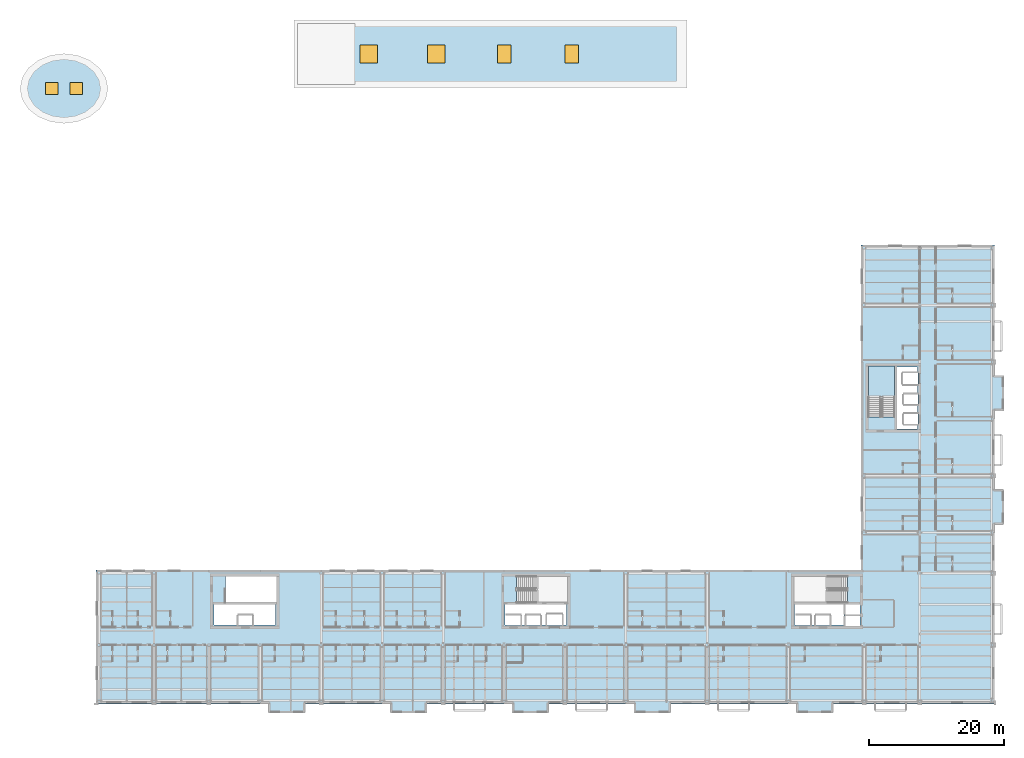
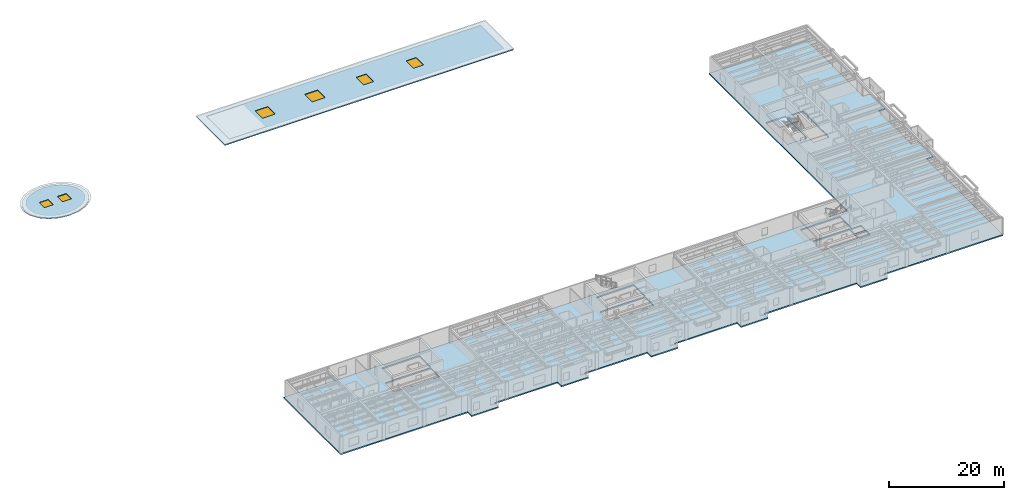
# One storey, part 9 of 27: 6 windows, 4 slabs, 6 openings, 1 element without a shape of its own.
"""IFC4 building model written with IfcOpenShell, lengths in metres."""

import ifcopenshell
import ifcopenshell.guid

model = None  # the IFC model being written
_history = None  # IfcOwnerHistory: only IFC2X3 demands one
_inside = {}  # id of a spatial element -> (the spatial element, [elements in it])
_under = {}  # id of a project, library or spatial element -> (it, [spatial elements below it])
_declared = {}  # id of a project -> (the project, [libraries it declares])
_typed = {}  # id of a type object -> (the type object, [elements of that type])
_made_of = {}  # id of a material, layer set ... -> (it, [elements and type objects made of it])


def new_model(schema):
    """Start an empty IFC model of exactly this schema.

    Asked for "IFC4X3", IfcOpenShell would pick the latest addendum, in which some entities
    have other attributes; the version numbers below select the first issue.
    IFC2X3 requires an IfcOwnerHistory on every rooted entity: one is made here for all.
    """
    global model, _history
    if schema == "IFC4X3":
        model = ifcopenshell.file(schema_version=(4, 3, 0, 0))
    else:
        model = ifcopenshell.file(schema=schema)
    _inside.clear()
    _under.clear()
    _declared.clear()
    _typed.clear()
    _made_of.clear()
    _history = None
    if model.schema == "IFC2X3":
        org = make("IfcOrganization", Name="unknown")
        user = make(
            "IfcPersonAndOrganization",
            ThePerson=make("IfcPerson", FamilyName="unknown"),
            TheOrganization=org,
        )
        app = make(
            "IfcApplication",
            ApplicationDeveloper=org,
            Version="unknown",
            ApplicationFullName="unknown",
            ApplicationIdentifier="unknown",
        )
        _history = make(
            "IfcOwnerHistory",
            OwningUser=user,
            OwningApplication=app,
            ChangeAction="ADDED",
            CreationDate=0,
        )
    return model


def make(cls, **values):
    """One entity of the class cls with the attributes given. An attribute that is None is left unset."""
    return model.create_entity(
        cls, **{name: value for name, value in values.items() if value is not None}
    )


def rooted(cls, **values):
    """An entity with a GlobalId (a new one), such as an element, a storey or a relation."""
    return make(cls, GlobalId=ifcopenshell.guid.new(), OwnerHistory=_history, **values)


def si_unit(unit_type, name, prefix=None):
    """IfcSIUnit, for example si_unit("LENGTHUNIT", "METRE", prefix="MILLI")."""
    return make("IfcSIUnit", UnitType=unit_type, Prefix=prefix, Name=name)


def assignment(units):
    """IfcUnitAssignment: the units of a project."""
    return None if units is None else make("IfcUnitAssignment", Units=units)


def point(xyz):
    """IfcCartesianPoint."""
    return None if xyz is None else make("IfcCartesianPoint", Coordinates=xyz)


def direction(xyz):
    """IfcDirection."""
    return None if xyz is None else make("IfcDirection", DirectionRatios=xyz)


def frame(location, z_axis=None, x_axis=None):
    """IfcAxis2Placement3D, a coordinate frame: its origin and axes. An axis left out is left unset."""
    return make(
        "IfcAxis2Placement3D",
        Location=point(location),
        Axis=direction(z_axis),
        RefDirection=direction(x_axis),
    )


def frame_2d(location, x_axis=None):
    """IfcAxis2Placement2D, a coordinate frame in the plane: its origin and x axis."""
    return make(
        "IfcAxis2Placement2D", Location=point(location), RefDirection=direction(x_axis)
    )


def origin():
    """The frame at (0, 0, 0) with its axes left unset."""
    return frame((0.0, 0.0, 0.0))


def origin_2d():
    """The frame at (0, 0) in the plane with its x axis left unset."""
    return frame_2d((0.0, 0.0))


def place(relative_to, where):
    """IfcLocalPlacement: puts the frame where relative to a parent placement (None: the world)."""
    return make(
        "IfcLocalPlacement", PlacementRelTo=relative_to, RelativePlacement=where
    )


def context(
    kind, dimensions, precision=None, world=None, true_north=None, identifier=None
):
    """IfcGeometricRepresentationContext, for example the 3D "Model" context."""
    return make(
        "IfcGeometricRepresentationContext",
        ContextIdentifier=identifier,
        ContextType=kind,
        CoordinateSpaceDimension=dimensions,
        Precision=precision,
        WorldCoordinateSystem=world,
        TrueNorth=true_north,
    )


def subcontext(parent, identifier, kind, view, scale=None):
    """IfcGeometricRepresentationSubContext, for example "Body" below "Model"."""
    return make(
        "IfcGeometricRepresentationSubContext",
        ContextIdentifier=identifier,
        ContextType=kind,
        ParentContext=parent,
        TargetScale=scale,
        TargetView=view,
    )


def project(units=None, contexts=None):
    """IfcProject with its units and contexts."""
    return rooted(
        "IfcProject",
        Name="project",
        RepresentationContexts=contexts,
        UnitsInContext=assignment(units),
    )


def spatial(cls, under=None, at=None, **own):
    """A site, building, storey or space (cls), placed at a placement, below another one or the project."""
    s = rooted(cls, ObjectPlacement=at, **own)
    if under is not None:
        _under.setdefault(under.id(), (under, []))[1].append(s)
    return s


def polyline(points):
    """IfcPolyline through the points."""
    return make("IfcPolyline", Points=[point(p) for p in points])


def profile(cls, at=None, kind="AREA", **sizes):
    """A parametric profile (cls). Its sizes go by their IFC names, for example OverallWidth=200.0."""
    return make(cls, ProfileType=kind, Position=at, **sizes)


def rectangle(**sizes):
    """IfcRectangleProfileDef."""
    return profile("IfcRectangleProfileDef", **sizes)


def outline(outer, holes=None, kind="AREA"):
    """IfcArbitraryClosedProfileDef: a profile drawn as a closed curve; with holes, ...WithVoids."""
    if holes is None:
        return make("IfcArbitraryClosedProfileDef", ProfileType=kind, OuterCurve=outer)
    return make(
        "IfcArbitraryProfileDefWithVoids",
        ProfileType=kind,
        OuterCurve=outer,
        InnerCurves=holes,
    )


def extrude(swept, where, along, depth):
    """IfcExtrudedAreaSolid: the profile swept, set in the frame where, extruded along a direction by depth."""
    return make(
        "IfcExtrudedAreaSolid",
        SweptArea=swept,
        Position=where,
        ExtrudedDirection=direction(along),
        Depth=depth,
    )


def shape(context_of_items, identifier, shape_type, items):
    """IfcShapeRepresentation: the items that make up one representation, for example the "Body"."""
    return make(
        "IfcShapeRepresentation",
        ContextOfItems=context_of_items,
        RepresentationIdentifier=identifier,
        RepresentationType=shape_type,
        Items=items,
    )


def material(Name=None, Category=None):
    """IfcMaterial."""
    return make("IfcMaterial", Name=Name, Category=Category)


def layer(
    of_material, thickness, ventilated=None, Name=None, Category=None, Priority=None
):
    """IfcMaterialLayer: one layer of a wall or slab, of a material (None: an air gap)."""
    return make(
        "IfcMaterialLayer",
        Material=of_material,
        LayerThickness=thickness,
        IsVentilated=ventilated,
        Name=Name,
        Category=Category,
        Priority=Priority,
    )


def layer_set(layers, Name=None):
    """IfcMaterialLayerSet."""
    return make("IfcMaterialLayerSet", MaterialLayers=layers, LayerSetName=Name)


def made_of(thing, what):
    """Note that an element or type object is made of a material, layer set ...; save() writes the relation."""
    if what is not None:
        _made_of.setdefault(what.id(), (what, []))[1].append(thing)
    return thing


def type_object(cls, material=None, **own):
    """A type object (cls), such as IfcWallType, which elements share."""
    return made_of(rooted(cls, **own), material)


def element(
    cls,
    number,
    at=None,
    inside=None,
    cuts=None,
    type_object=None,
    material=None,
    context=None,
    identifier="Body",
    shape_type=None,
    held_by="IfcProductDefinitionShape",
    body=None,
    shapes=None,
    **own,
):
    """One element of the class cls, such as IfcWall. Its Tag is "e" and its number.

    at: its placement. inside: the storey or other place that contains it. cuts: it is an
    opening in that element (IfcRelVoidsElement). A single representation is given by context,
    identifier, shape_type and body (its items); several are given by shapes. held_by: the class
    of the entity that holds the representations. save() writes the other relations.
    """
    e = rooted(cls, Tag="e%d" % number, ObjectPlacement=at, **own)
    if body is not None:
        shapes = [shape(context, identifier, shape_type, body)]
    if shapes is not None:
        e.Representation = make(held_by, Representations=shapes)
    if inside is not None:
        _inside.setdefault(inside.id(), (inside, []))[1].append(e)
    if cuts is not None:
        rooted(
            "IfcRelVoidsElement", RelatingBuildingElement=cuts, RelatedOpeningElement=e
        )
    if type_object is not None:
        _typed.setdefault(type_object.id(), (type_object, []))[1].append(e)
    return made_of(e, material)


def fill(opening, filler):
    """IfcRelFillsElement: the door or window that sits in an opening."""
    return rooted(
        "IfcRelFillsElement",
        RelatingOpeningElement=opening,
        RelatedBuildingElement=filler,
    )


def aggregate(whole, parts):
    """IfcRelAggregates: a whole, such as a stair, and the parts it consists of."""
    return rooted("IfcRelAggregates", RelatingObject=whole, RelatedObjects=parts)


def save(model, path):
    """Write the relations noted so far, then the file.

    IfcRelAggregates (storeys below a building ...), IfcRelContainedInSpatialStructure (elements
    in a storey), IfcRelDefinesByType, IfcRelAssociatesMaterial and IfcRelDeclares: one each for
    every whole, place, type object, material and project.
    """
    for whole, parts in _under.values():
        aggregate(whole, parts)
    for where, things in _inside.values():
        rooted(
            "IfcRelContainedInSpatialStructure",
            RelatedElements=things,
            RelatingStructure=where,
        )
    for kind, things in _typed.values():
        rooted("IfcRelDefinesByType", RelatedObjects=things, RelatingType=kind)
    for what, things in _made_of.values():
        rooted("IfcRelAssociatesMaterial", RelatedObjects=things, RelatingMaterial=what)
    for by, libraries in _declared.values():
        rooted("IfcRelDeclares", RelatingContext=by, RelatedDefinitions=libraries)
    model.write(path)


model = new_model("IFC4")

# Units and contexts
model_context = context("Model", 3, precision=1e-05, world=origin(), true_north=direction((0.0, 1.0)))
body_context = subcontext(model_context, "Body", "Model", "MODEL_VIEW")
ifc_project = project(units=[si_unit("LENGTHUNIT", "METRE"), si_unit("AREAUNIT", "SQUARE_METRE"), si_unit("VOLUMEUNIT", "CUBIC_METRE"), si_unit("PLANEANGLEUNIT", "RADIAN"), si_unit("MASSUNIT", "GRAM", prefix="KILO")], contexts=[model_context])

# Site, building, storey
site_placement = place(None, origin())
site = spatial("IfcSite", under=ifc_project, at=site_placement, CompositionType="ELEMENT")
building_placement = place(site_placement, origin())
building = spatial("IfcBuilding", under=site, at=building_placement, Name="Sollismere Congress Hotel", CompositionType="ELEMENT")
storey_placement = place(building_placement, frame((0.0, 0.0, 27.0)))
storey = spatial("IfcBuildingStorey", under=building, at=storey_placement, Name="L06", CompositionType="ELEMENT", Elevation=27.0)

# Slab
ifc_material_1 = material(Name="Concrete C40/50", Category="concrete")
ifc_layer_1 = layer(ifc_material_1, 0.27490234375, Name="Concrete C40/50")
ifc_layer_set_1 = layer_set([ifc_layer_1], Name="Concrete C40/50")
slab_type_1 = type_object("IfcSlabType", Name="SL-FLR275", PredefinedType="FLOOR", material=ifc_layer_set_1)
slab_1_placement = place(storey_placement, frame((0.0, 0.0, -0.27490234375)))
element("IfcSlab", 1, at=slab_1_placement, inside=storey, type_object=slab_type_1, Name="Slab SL-L06-V5", PredefinedType="FLOOR", context=body_context, shape_type="SweptSolid", body=[
    extrude(outline(polyline([(64.60009765625, -1.85009765625), (64.60009765625, -0.47998046875), (77.199951171875, -0.47998046875), (77.199951171875, -1.85009765625), (82.60009765625, -1.85009765625), (82.60009765625, -0.47998046875), (95.199951171875, -0.47998046875), (95.199951171875, -1.85009765625), (100.60009765625, -1.85009765625), (100.60009765625, -0.47998046875), (113.199951171875, -0.47998046875), (113.199951171875, -1.85009765625), (118.60009765625, -1.85009765625), (118.60009765625, -0.47998046875), (137.199951171875, -0.47998046875), (137.199951171875, -1.85009765625), (142.60009765625, -1.85009765625), (142.60009765625, -0.47998046875), (166.47998046875, -0.47998046875), (166.47998046875, 19.280029296875), (166.47998046875, 26.0), (167.85009765625, 26.0), (167.85009765625, 31.199951171875), (166.47998046875, 31.199951171875), (166.47998046875, 42.800048828125), (167.85009765625, 42.800048828125), (167.85009765625, 48.0), (166.47998046875, 48.0), (166.47998046875, 67.280029296875), (146.719970703125, 67.280029296875), (146.719970703125, 19.280029296875), (33.719970703125, 19.280029296875), (33.719970703125, -0.47998046875), (59.199951171875, -0.47998046875), (59.199951171875, -1.85009765625), (64.60009765625, -1.85009765625)]), holes=[polyline([(54.7548828125, 11.050048828125), (54.7548828125, 11.139892578125), (51.139892578125, 11.139892578125), (51.139892578125, 14.179931640625), (60.260009765625, 14.179931640625), (60.260009765625, 11.139892578125), (56.844970703125, 11.139892578125), (56.844970703125, 11.050048828125), (54.7548828125, 11.050048828125)]), polyline([(94.35498046875, 11.050048828125), (94.35498046875, 11.139892578125), (94.139892578125, 11.139892578125), (94.139892578125, 14.179931640625), (103.260009765625, 14.179931640625), (103.260009765625, 11.139892578125), (102.570068359375, 11.139892578125), (102.570068359375, 11.054931640625), (100.330078125, 11.054931640625), (100.330078125, 11.139892578125), (99.344970703125, 11.139892578125), (99.344970703125, 11.050048828125), (97.2548828125, 11.050048828125), (97.2548828125, 11.139892578125), (96.445068359375, 11.139892578125), (96.445068359375, 11.050048828125), (94.35498046875, 11.050048828125)]), polyline([(137.155029296875, 11.050048828125), (137.155029296875, 11.139892578125), (136.93994140625, 11.139892578125), (136.93994140625, 14.179931640625), (144.22705078125, 14.179931640625), (144.22705078125, 11.139892578125), (142.14501953125, 11.139892578125), (142.14501953125, 11.050048828125), (140.054931640625, 11.050048828125), (140.054931640625, 11.139892578125), (139.2451171875, 11.139892578125), (139.2451171875, 11.050048828125), (137.155029296875, 11.050048828125)]), polyline([(52.8505859375, 18.35009765625), (60.39990234375, 18.35009765625), (60.39990234375, 14.449951171875), (52.8505859375, 14.449951171875), (52.8505859375, 18.35009765625)]), polyline([(95.8505859375, 14.449951171875), (95.8505859375, 18.35009765625), (103.39990234375, 18.35009765625), (103.39990234375, 14.449951171875), (95.8505859375, 14.449951171875)]), polyline([(146.550048828125, 11.0048828125), (144.409912109375, 11.0048828125), (144.409912109375, 12.4951171875), (146.550048828125, 12.4951171875), (146.550048828125, 11.0048828125)]), polyline([(144.409912109375, 12.705078125), (144.409912109375, 14.195068359375), (146.550048828125, 14.195068359375), (146.550048828125, 12.705078125), (144.409912109375, 12.705078125)]), polyline([(144.749267578125, 14.449951171875), (136.800048828125, 14.449951171875), (136.800048828125, 18.35009765625), (144.749267578125, 18.35009765625), (144.749267578125, 14.449951171875)]), polyline([(155.06005859375, 40.830078125), (155.06005859375, 40.139892578125), (151.969970703125, 40.139892578125), (151.969970703125, 49.260009765625), (155.06005859375, 49.260009765625), (155.06005859375, 48.39501953125), (155.139892578125, 48.39501953125), (155.139892578125, 46.705078125), (155.06005859375, 46.705078125), (155.06005859375, 45.27001953125), (155.14501953125, 45.27001953125), (155.14501953125, 43.72998046875), (155.06005859375, 43.72998046875), (155.06005859375, 42.3701171875), (155.14501953125, 42.3701171875), (155.14501953125, 40.830078125), (155.06005859375, 40.830078125)]), polyline([(147.800048828125, 41.8505859375), (147.800048828125, 49.39990234375), (151.699951171875, 49.39990234375), (151.699951171875, 41.8505859375), (147.800048828125, 41.8505859375)])]), origin(), (0.0, 0.0, 1.0), 0.27490234375),
])

# Stair, slab
stair_type = type_object("IfcStairType", Name="STR-DL-360", PredefinedType="HALF_TURN_STAIR", material=ifc_material_1)
stair_placement = place(storey_placement, origin())
stair = element("IfcStair", 2, at=stair_placement, inside=storey, type_object=stair_type, Name="Protected exit stair ST-03-L06", PredefinedType="HALF_TURN_STAIR")
ifc_layer_2 = layer(ifc_material_1, 0.199951171875, Name="Concrete C40/50")
ifc_layer_set_2 = layer_set([ifc_layer_2], Name="Concrete C40/50")
slab_type_2 = type_object("IfcSlabType", Name="SL-LND200", PredefinedType="LANDING", material=ifc_layer_set_2)
slab_2_placement = place(storey_placement, frame((0.0, 0.0, 1.60009765625)))
slab_2 = element("IfcSlab", 3, at=slab_2_placement, type_object=slab_type_2, Name="Exit stair half-landing ST-03-L06-L1", PredefinedType="LANDING", context=body_context, shape_type="SweptSolid", body=[
    extrude(outline(polyline([(151.699951171875, 44.75), (151.699951171875, 49.39990234375), (147.800048828125, 49.39990234375), (147.800048828125, 44.75), (151.699951171875, 44.75)])), origin(), (0.0, 0.0, 1.0), 0.199951171875),
])
aggregate(stair, [slab_2])

# Slab, openings, windows
ifc_layer_3 = layer(ifc_material_1, 0.219970703125, Name="Concrete C40/50")
ifc_layer_set_3 = layer_set([ifc_layer_3], Name="Concrete C40/50")
slab_type_3 = type_object("IfcSlabType", Name="SL-ROOF220", PredefinedType="ROOF", material=ifc_layer_set_3)
slab_3_placement = place(storey_placement, frame((0.0, 0.0, -0.02001953125)))
slab_3 = element("IfcSlab", 4, at=slab_3_placement, inside=storey, type_object=slab_type_3, Name="SLB-SL-V1-OC", PredefinedType="ROOF", context=body_context, shape_type="SweptSolid", body=[
    extrude(outline(polyline([(35.177001953125, 90.39990234375), (34.874755859375, 91.913818359375), (33.997314453125, 93.279541015625), (32.630615234375, 94.36328125), (30.90869140625, 95.05908203125), (29.0, 95.299072265625), (27.09130859375, 95.05908203125), (25.369384765625, 94.36328125), (24.002685546875, 93.279541015625), (23.125244140625, 91.913818359375), (22.822998046875, 90.39990234375), (23.125244140625, 88.885986328125), (24.002685546875, 87.5205078125), (25.369384765625, 86.4365234375), (27.09130859375, 85.74072265625), (29.0, 85.5009765625), (30.90869140625, 85.74072265625), (32.630615234375, 86.4365234375), (33.997314453125, 87.5205078125), (34.874755859375, 88.885986328125), (35.177001953125, 90.39990234375)]), holes=[polyline([(26.300048828125, 91.300048828125), (28.10009765625, 91.300048828125), (28.10009765625, 89.5), (26.300048828125, 89.5), (26.300048828125, 91.300048828125)]), polyline([(29.89990234375, 91.300048828125), (31.699951171875, 91.300048828125), (31.699951171875, 89.5), (29.89990234375, 89.5), (29.89990234375, 91.300048828125)])]), origin(), (0.0, 0.0, 1.0), 0.219970703125),
])
opening_1_placement = place(slab_3_placement, frame((27.199951171875, 90.39990234375, -0.010009765625)))
opening_1 = element("IfcOpeningElement", 5, at=opening_1_placement, cuts=slab_3, Name="Opening LD-OC01", PredefinedType="OPENING", context=body_context, shape_type="SweptSolid", body=[
    extrude(rectangle(XDim=1.800048828125, YDim=1.800048828125, at=origin_2d()), origin(), (0.0, 0.0, 1.0), 0.239990234375),
])
opening_2_placement = place(slab_3_placement, frame((30.800048828125, 90.39990234375, -0.010009765625)))
opening_2 = element("IfcOpeningElement", 6, at=opening_2_placement, cuts=slab_3, Name="Opening LD-OC02", PredefinedType="OPENING", context=body_context, shape_type="SweptSolid", body=[
    extrude(rectangle(XDim=1.800048828125, YDim=1.800048828125, at=origin_2d()), origin(), (0.0, 0.0, 1.0), 0.239990234375),
])
ifc_material_2 = material(Name="Thermally Broken Bronze Aluminum & Low-E Glass", Category="aluminium")
window_type_1 = type_object("IfcWindowType", Name="LD-DM180", PartitioningType="SINGLE_PANEL", PredefinedType="LIGHTDOME", material=ifc_material_2)
window_1_placement = place(opening_1_placement, frame((0.0, 0.0, 0.08984375)))
window_1 = element("IfcWindow", 7, at=window_1_placement, inside=storey, type_object=window_type_1, Name="LDO-V1-01", OverallHeight=1.800048828125, OverallWidth=1.800048828125, PartitioningType="SINGLE_PANEL", PredefinedType="LIGHTDOME", context=body_context, shape_type="SweptSolid", body=[
    extrude(rectangle(XDim=1.800048828125, YDim=1.800048828125, at=origin_2d()), origin(), (0.0, 0.0, 1.0), 0.06005859375),
])
fill(opening_1, window_1)
window_2_placement = place(opening_2_placement, frame((0.0, 0.0, 0.08984375)))
window_2 = element("IfcWindow", 8, at=window_2_placement, inside=storey, type_object=window_type_1, Name="LDO-V1-02", OverallHeight=1.800048828125, OverallWidth=1.800048828125, PartitioningType="SINGLE_PANEL", PredefinedType="LIGHTDOME", context=body_context, shape_type="SweptSolid", body=[
    extrude(rectangle(XDim=1.800048828125, YDim=1.800048828125, at=origin_2d()), origin(), (0.0, 0.0, 1.0), 0.06005859375),
])
fill(opening_2, window_2)

slab_4_placement = place(storey_placement, frame((0.0, 0.0, -0.179931640625)))
slab_4 = element("IfcSlab", 9, at=slab_4_placement, inside=storey, type_object=slab_type_3, Name="SLB-SL-V2-TOP", PredefinedType="ROOF", context=body_context, shape_type="SweptSolid", body=[
    extrude(outline(polyline([(63.070068359375, 90.570068359375), (120.929931640625, 90.570068359375), (120.929931640625, 100.429931640625), (63.070068359375, 100.429931640625), (63.070068359375, 90.570068359375)]), holes=[polyline([(72.699951171875, 96.800048828125), (75.300048828125, 96.800048828125), (75.300048828125, 94.199951171875), (72.699951171875, 94.199951171875), (72.699951171875, 96.800048828125)]), polyline([(82.699951171875, 96.800048828125), (85.300048828125, 96.800048828125), (85.300048828125, 94.199951171875), (82.699951171875, 94.199951171875), (82.699951171875, 96.800048828125)]), polyline([(93.0, 96.800048828125), (95.0, 96.800048828125), (95.0, 94.199951171875), (93.0, 94.199951171875), (93.0, 96.800048828125)]), polyline([(103.0, 96.800048828125), (105.0, 96.800048828125), (105.0, 94.199951171875), (103.0, 94.199951171875), (103.0, 96.800048828125)])]), origin(), (0.0, 0.0, 1.0), 0.219970703125),
])
opening_3_placement = place(slab_4_placement, frame((74.0, 95.5, -0.010009765625)))
opening_3 = element("IfcOpeningElement", 10, at=opening_3_placement, cuts=slab_4, Name="Opening LD-MT01", PredefinedType="OPENING", context=body_context, shape_type="SweptSolid", body=[
    extrude(rectangle(XDim=2.60009765625, YDim=2.60009765625, at=origin_2d()), origin(), (0.0, 0.0, 1.0), 0.239990234375),
])
opening_4_placement = place(slab_4_placement, frame((84.0, 95.5, -0.010009765625)))
opening_4 = element("IfcOpeningElement", 11, at=opening_4_placement, cuts=slab_4, Name="Opening LD-MT02", PredefinedType="OPENING", context=body_context, shape_type="SweptSolid", body=[
    extrude(rectangle(XDim=2.60009765625, YDim=2.60009765625, at=origin_2d()), origin(), (0.0, 0.0, 1.0), 0.239990234375),
])
opening_5_placement = place(slab_4_placement, frame((94.0, 95.5, -0.010009765625)))
opening_5 = element("IfcOpeningElement", 12, at=opening_5_placement, cuts=slab_4, Name="Opening LD-MT03", PredefinedType="OPENING", context=body_context, shape_type="SweptSolid", body=[
    extrude(rectangle(XDim=2.0, YDim=2.60009765625, at=origin_2d()), origin(), (0.0, 0.0, 1.0), 0.239990234375),
])
opening_6_placement = place(slab_4_placement, frame((104.0, 95.5, -0.010009765625)))
opening_6 = element("IfcOpeningElement", 13, at=opening_6_placement, cuts=slab_4, Name="Opening LD-MT04", PredefinedType="OPENING", context=body_context, shape_type="SweptSolid", body=[
    extrude(rectangle(XDim=2.0, YDim=2.60009765625, at=origin_2d()), origin(), (0.0, 0.0, 1.0), 0.239990234375),
])
window_type_2 = type_object("IfcWindowType", Name="LD-DM260", PartitioningType="SINGLE_PANEL", PredefinedType="LIGHTDOME", material=ifc_material_2)
window_3_placement = place(opening_3_placement, frame((0.0, 0.0, 0.08984375)))
window_3 = element("IfcWindow", 14, at=window_3_placement, inside=storey, type_object=window_type_2, Name="LDO-M2-01", OverallHeight=2.60009765625, OverallWidth=2.60009765625, PartitioningType="SINGLE_PANEL", PredefinedType="LIGHTDOME", context=body_context, shape_type="SweptSolid", body=[
    extrude(rectangle(XDim=2.60009765625, YDim=2.60009765625, at=origin_2d()), origin(), (0.0, 0.0, 1.0), 0.06005859375),
])
fill(opening_3, window_3)
window_4_placement = place(opening_4_placement, frame((0.0, 0.0, 0.08984375)))
window_4 = element("IfcWindow", 15, at=window_4_placement, inside=storey, type_object=window_type_2, Name="LDO-M2-02", OverallHeight=2.60009765625, OverallWidth=2.60009765625, PartitioningType="SINGLE_PANEL", PredefinedType="LIGHTDOME", context=body_context, shape_type="SweptSolid", body=[
    extrude(rectangle(XDim=2.60009765625, YDim=2.60009765625, at=origin_2d()), origin(), (0.0, 0.0, 1.0), 0.06005859375),
])
fill(opening_4, window_4)
window_type_3 = type_object("IfcWindowType", Name="SK-MT200", PartitioningType="SINGLE_PANEL", PredefinedType="SKYLIGHT", material=ifc_material_2)
window_5_placement = place(opening_5_placement, frame((0.0, 0.0, 0.08984375)))
window_5 = element("IfcWindow", 16, at=window_5_placement, inside=storey, type_object=window_type_3, Name="LDO-M2-03", OverallHeight=2.60009765625, OverallWidth=2.0, PartitioningType="SINGLE_PANEL", PredefinedType="SKYLIGHT", context=body_context, shape_type="SweptSolid", body=[
    extrude(rectangle(XDim=2.0, YDim=2.60009765625, at=origin_2d()), origin(), (0.0, 0.0, 1.0), 0.06005859375),
])
fill(opening_5, window_5)
window_6_placement = place(opening_6_placement, frame((0.0, 0.0, 0.08984375)))
window_6 = element("IfcWindow", 17, at=window_6_placement, inside=storey, type_object=window_type_3, Name="LDO-M2-04", OverallHeight=2.60009765625, OverallWidth=2.0, PartitioningType="SINGLE_PANEL", PredefinedType="SKYLIGHT", context=body_context, shape_type="SweptSolid", body=[
    extrude(rectangle(XDim=2.0, YDim=2.60009765625, at=origin_2d()), origin(), (0.0, 0.0, 1.0), 0.06005859375),
])
fill(opening_6, window_6)

save(model, "model.ifc")
